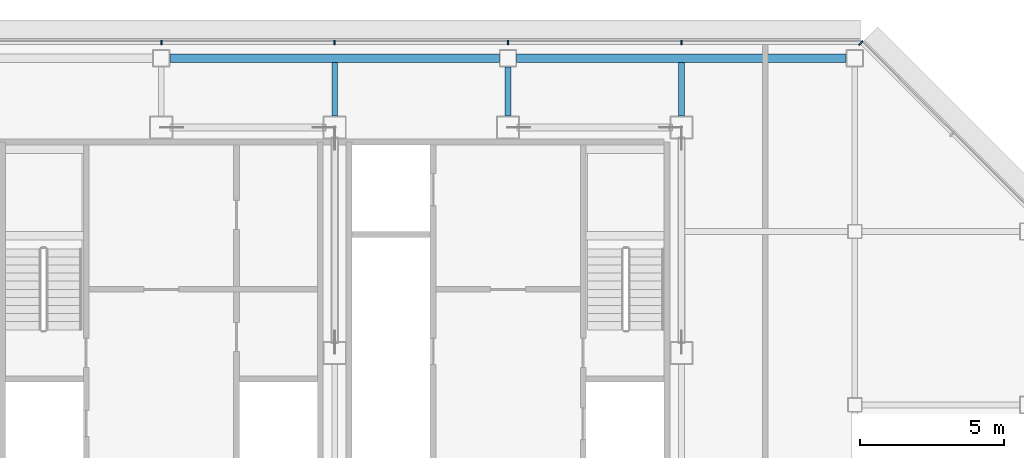
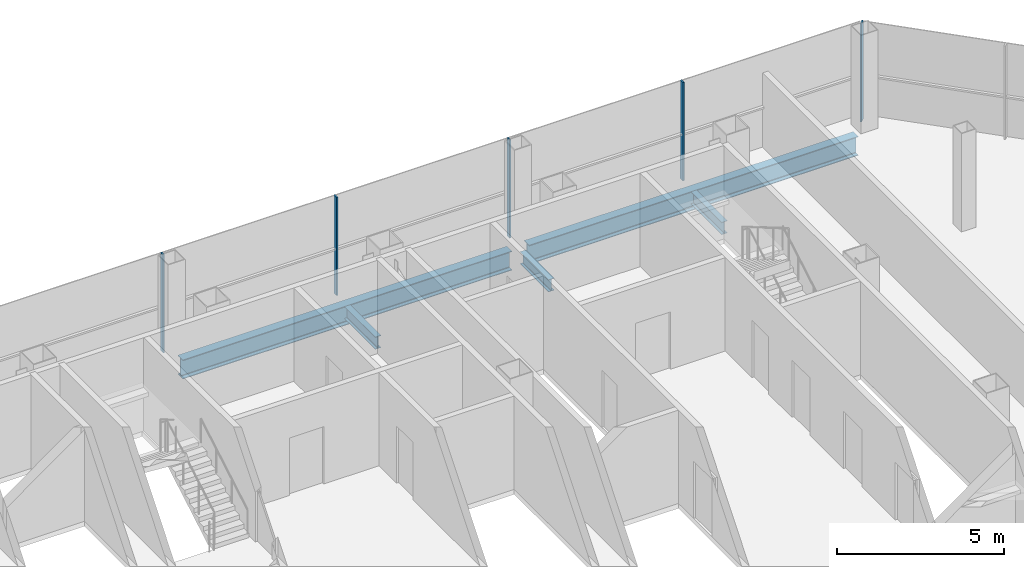
# One storey, part 17 of 30: 5 beams, 5 members, 2 elements without a shape of their own.
"""IFC4 building model written with IfcOpenShell, lengths in metres."""

from ifc_helpers import new_model, si_unit, direction, frame, origin, origin_2d, place, context, subcontext, project, spatial, rectangle, i_section, extrude, material, material_profile, profile_set, type_object, element, aggregate, save


model = new_model("IFC4")

# Units and contexts
model_context = context("Model", 3, precision=1e-05, world=origin(), true_north=direction((0.0, 1.0)))
body_context = subcontext(model_context, "Body", "Model", "MODEL_VIEW")
ifc_project = project(units=[si_unit("LENGTHUNIT", "METRE"), si_unit("AREAUNIT", "SQUARE_METRE"), si_unit("VOLUMEUNIT", "CUBIC_METRE"), si_unit("PLANEANGLEUNIT", "RADIAN"), si_unit("MASSUNIT", "GRAM", prefix="KILO")], contexts=[model_context])

# Site, building, storey
site_placement = place(None, origin())
site = spatial("IfcSite", under=ifc_project, at=site_placement, CompositionType="ELEMENT")
building_placement = place(site_placement, origin())
building = spatial("IfcBuilding", under=site, at=building_placement, Name="Sorahane Residences", CompositionType="ELEMENT")
storey_placement = place(building_placement, frame((0.0, 0.0, 263.0)))
storey = spatial("IfcBuildingStorey", under=building, at=storey_placement, Name="L62", CompositionType="ELEMENT", Elevation=263.0)

# Curtain wall, members
ifc_material_1 = material(Name="Dark low-e glass and black anodised aluminium", Category="aluminium")
curtain_wall_type_1 = type_object("IfcCurtainWallType", Name="Curtain wall CW-1 Typical unitised wall", PredefinedType="NOTDEFINED", material=ifc_material_1)
curtain_wall_1_placement = place(storey_placement, origin())
curtain_wall_1 = element("IfcCurtainWall", 1, at=curtain_wall_1_placement, inside=storey, type_object=curtain_wall_type_1, Name="CW-1 curtain wall L62 N1", PredefinedType="NOTDEFINED")
ifc_material_2 = material(Name="Black anodised aluminium", Category="aluminium")
ifc_material_profile_1 = material_profile(ifc_material_2, rectangle(XDim=0.159912109375, YDim=0.050048828125, at=origin_2d()), Name="Curtain wall mullion CW-1 black anodised aluminium 50x160")
ifc_profile_set_1 = profile_set([ifc_material_profile_1], Name="Black anodised aluminium")
member_type_1 = type_object("IfcMemberType", Name="Curtain wall mullion CW-1 black anodised aluminium 50x160", PredefinedType="MULLION", material=ifc_profile_set_1)
member_1_placement = place(storey_placement, frame((42.0, 48.5400390625, -0.179931640625), z_axis=(0.0, 0.0, 1.0), x_axis=(0.0, 1.0, 0.0)))
member_1 = element("IfcMember", 2, at=member_1_placement, type_object=member_type_1, Name="CW-1 mullion L62 N1.2", PredefinedType="MULLION", context=body_context, shape_type="SweptSolid", body=[
    extrude(rectangle(XDim=0.159912109375, YDim=0.050048828125, at=origin_2d()), origin(), (0.0, 0.0, 1.0), 3.599853515625),
])
member_2_placement = place(storey_placement, frame((36.0, 48.5400390625, -0.179931640625), z_axis=(0.0, 0.0, 1.0), x_axis=(0.0, 1.0, 0.0)))
member_2 = element("IfcMember", 3, at=member_2_placement, type_object=member_type_1, Name="CW-1 mullion L62 N1.3", PredefinedType="MULLION", context=body_context, shape_type="SweptSolid", body=[
    extrude(rectangle(XDim=0.159912109375, YDim=0.050048828125, at=origin_2d()), origin(), (0.0, 0.0, 1.0), 3.599853515625),
])
member_3_placement = place(storey_placement, frame((30.0, 48.5400390625, -0.179931640625), z_axis=(0.0, 0.0, 1.0), x_axis=(0.0, 1.0, 0.0)))
member_3 = element("IfcMember", 4, at=member_3_placement, type_object=member_type_1, Name="CW-1 mullion L62 N1.4", PredefinedType="MULLION", context=body_context, shape_type="SweptSolid", body=[
    extrude(rectangle(XDim=0.159912109375, YDim=0.050048828125, at=origin_2d()), origin(), (0.0, 0.0, 1.0), 3.599853515625),
])
member_4_placement = place(storey_placement, frame((24.0, 48.5400390625, -0.179931640625), z_axis=(0.0, 0.0, 1.0), x_axis=(0.0, 1.0, 0.0)))
member_4 = element("IfcMember", 5, at=member_4_placement, type_object=member_type_1, Name="CW-1 mullion L62 N1.5", PredefinedType="MULLION", context=body_context, shape_type="SweptSolid", body=[
    extrude(rectangle(XDim=0.159912109375, YDim=0.050048828125, at=origin_2d()), origin(), (0.0, 0.0, 1.0), 3.599853515625),
])
aggregate(curtain_wall_1, [member_1, member_2, member_3, member_4])

# Curtain wall, member
ifc_material_3 = material(Name="Dark low-e glass and black anodised aluminium", Category="aluminium")
curtain_wall_type_2 = type_object("IfcCurtainWallType", Name="Curtain wall CW-2 Chamfer unitised wall", PredefinedType="NOTDEFINED", material=ifc_material_3)
curtain_wall_2_placement = place(storey_placement, origin())
curtain_wall_2 = element("IfcCurtainWall", 6, at=curtain_wall_2_placement, inside=storey, type_object=curtain_wall_type_2, Name="CW-2 curtain wall L62 NE1", PredefinedType="NOTDEFINED")
ifc_material_4 = material(Name="Black anodised aluminium", Category="aluminium")
ifc_material_profile_2 = material_profile(ifc_material_4, rectangle(XDim=0.199951171875, YDim=0.050048828125, at=origin_2d()), Name="Curtain wall mullion CW-2 black anodised aluminium 50x200")
ifc_profile_set_2 = profile_set([ifc_material_profile_2], Name="Black anodised aluminium")
member_type_2 = type_object("IfcMemberType", Name="Curtain wall mullion CW-2 black anodised aluminium 50x200", PredefinedType="MULLION", material=ifc_profile_set_2)
member_5_placement = place(storey_placement, frame((48.209716796875, 48.525634765625, -0.179931640625), z_axis=(0.0, 0.0, 1.0), x_axis=(0.707106781187, 0.707106781187, 0.0)))
member_5 = element("IfcMember", 7, at=member_5_placement, type_object=member_type_2, Name="CW-2 mullion L62 NE1.3", PredefinedType="MULLION", context=body_context, shape_type="SweptSolid", body=[
    extrude(rectangle(XDim=0.199951171875, YDim=0.050048828125, at=origin_2d()), origin(), (0.0, 0.0, 1.0), 3.599853515625),
])
aggregate(curtain_wall_2, [member_5])

# Beams
ifc_material_5 = material(Name="Steel Q355B", Category="steel")
ifc_material_profile_3 = material_profile(ifc_material_5, i_section(OverallWidth=0.199951171875, OverallDepth=0.449951171875, WebThickness=0.009033203125, FlangeThickness=0.013916015625, FilletRadius=0.02001953125, at=origin_2d()), Name="HN 450x200x9x14")
ifc_profile_set_3 = profile_set([ifc_material_profile_3], Name="Steel Q355B")
beam_type_1 = type_object("IfcBeamType", Name="Steel floor beam HN 450x200x9x14 Q355B", PredefinedType="BEAM", material=ifc_profile_set_3)
beam_1_placement = place(storey_placement, frame((30.0, 46.0, -0.405029296875), z_axis=(0.0, 1.0, 0.0), x_axis=(-1.0, 0.0, 0.0)))
element("IfcBeam", 8, at=beam_1_placement, inside=storey, type_object=beam_type_1, Name="Beam L62 047", PredefinedType="BEAM", context=body_context, shape_type="SweptSolid", body=[
    extrude(i_section(OverallWidth=0.199951171875, OverallDepth=0.449951171875, WebThickness=0.009033203125, FlangeThickness=0.013916015625, FilletRadius=0.02001953125, at=origin_2d()), origin(), (0.0, 0.0, 1.0), 1.85009765625),
])
beam_2_placement = place(storey_placement, frame((36.0, 46.0, -0.405029296875), z_axis=(0.0, 1.0, 0.0), x_axis=(-1.0, 0.0, 0.0)))
element("IfcBeam", 9, at=beam_2_placement, inside=storey, type_object=beam_type_1, Name="Beam L62 049", PredefinedType="BEAM", context=body_context, shape_type="SweptSolid", body=[
    extrude(i_section(OverallWidth=0.199951171875, OverallDepth=0.449951171875, WebThickness=0.009033203125, FlangeThickness=0.013916015625, FilletRadius=0.02001953125, at=origin_2d()), origin(), (0.0, 0.0, 1.0), 1.699951171875),
])
beam_3_placement = place(storey_placement, frame((42.0, 46.0, -0.405029296875), z_axis=(0.0, 1.0, 0.0), x_axis=(-1.0, 0.0, 0.0)))
element("IfcBeam", 10, at=beam_3_placement, inside=storey, type_object=beam_type_1, Name="Beam L62 054", PredefinedType="BEAM", context=body_context, shape_type="SweptSolid", body=[
    extrude(i_section(OverallWidth=0.199951171875, OverallDepth=0.449951171875, WebThickness=0.009033203125, FlangeThickness=0.013916015625, FilletRadius=0.02001953125, at=origin_2d()), origin(), (0.0, 0.0, 1.0), 1.85009765625),
])
ifc_material_6 = material(Name="Steel Q355B", Category="steel")
ifc_material_profile_4 = material_profile(ifc_material_6, i_section(OverallWidth=0.300048828125, OverallDepth=0.699951171875, WebThickness=0.012939453125, FlangeThickness=0.02392578125, FilletRadius=0.028076171875, at=origin_2d()), Name="HN 700x300x13x24")
ifc_profile_set_4 = profile_set([ifc_material_profile_4], Name="Steel Q355B")
beam_type_2 = type_object("IfcBeamType", Name="Steel floor beam HN 700x300x13x24 Q355B", PredefinedType="BEAM", material=ifc_profile_set_4)
for number, where, z_axis, x_axis, name in (
    (11, (24.300048828125, 48.0, -0.530029296875), (1.0, 0.0, 0.0), (0.0, 1.0, 0.0), "Beam L62 017"),
    (12, (36.300048828125, 48.0, -0.530029296875), (1.0, 0.0, 0.0), (0.0, 1.0, 0.0), "Beam L62 018"),
):
    element("IfcBeam", number, at=place(storey_placement, frame(where, z_axis=z_axis, x_axis=x_axis)), inside=storey, type_object=beam_type_2, Name=name, PredefinedType="BEAM", context=body_context, shape_type="SweptSolid", body=[
        extrude(i_section(OverallWidth=0.300048828125, OverallDepth=0.699951171875, WebThickness=0.012939453125, FlangeThickness=0.02392578125, FilletRadius=0.028076171875, at=origin_2d()), origin(), (0.0, 0.0, 1.0), 11.39990234375),
    ])

save(model, "model.ifc")
